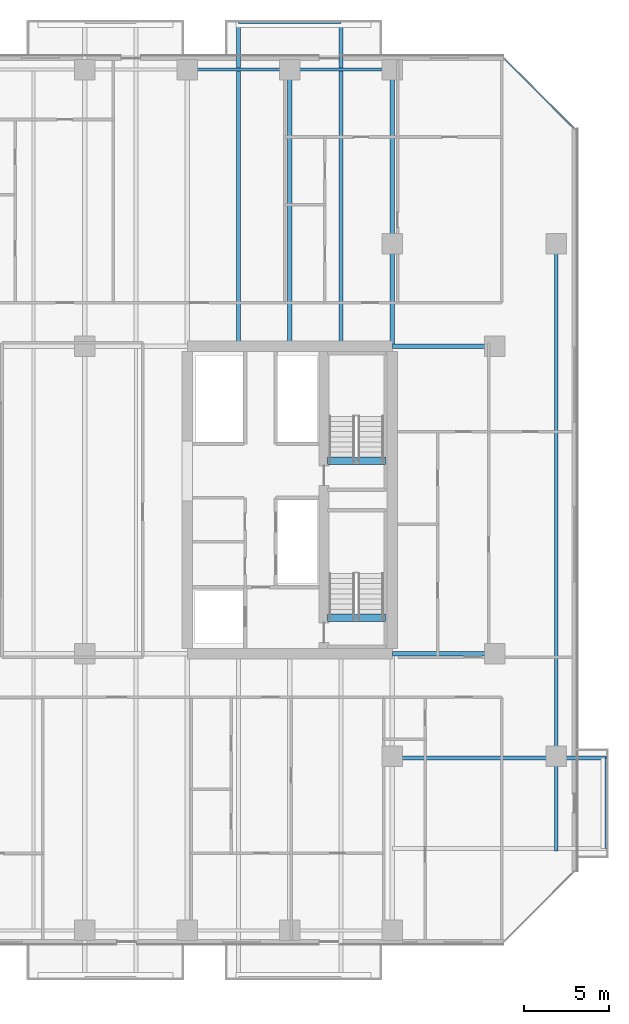
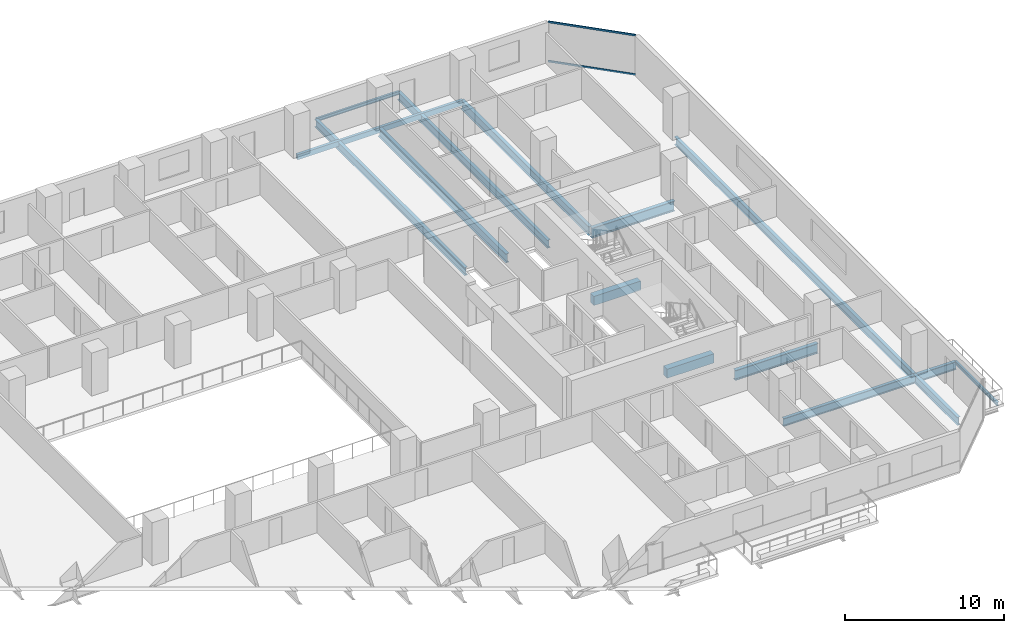
# One storey, part 14 of 33: 15 beams, 2 members, 1 element without a shape of its own.
"""IFC4 building model written with IfcOpenShell, lengths in metres."""

from ifc_helpers import new_model, si_unit, direction, frame, origin, origin_2d, place, context, subcontext, project, spatial, rectangle, hollow_rectangle, i_section, extrude, material, layer, layer_set, material_profile, profile_set, type_object, element, aggregate, save


model = new_model("IFC4")

# Units and contexts
model_context = context("Model", 3, precision=1e-05, world=origin(), true_north=direction((0.0, 1.0)))
body_context = subcontext(model_context, "Body", "Model", "MODEL_VIEW")
ifc_project = project(units=[si_unit("LENGTHUNIT", "METRE"), si_unit("AREAUNIT", "SQUARE_METRE"), si_unit("VOLUMEUNIT", "CUBIC_METRE"), si_unit("PLANEANGLEUNIT", "RADIAN"), si_unit("MASSUNIT", "GRAM", prefix="KILO")], contexts=[model_context])

# Site, building, storey
site_placement = place(None, origin())
site = spatial("IfcSite", under=ifc_project, at=site_placement, CompositionType="ELEMENT")
building_placement = place(site_placement, origin())
building = spatial("IfcBuilding", under=site, at=building_placement, Name="Tanjung Sevakor Pilgrim Tower", CompositionType="ELEMENT")
storey_placement = place(building_placement, frame((0.0, 0.0, 38.93994140625)))
storey = spatial("IfcBuildingStorey", under=building, at=storey_placement, Name="L10", CompositionType="ELEMENT", Elevation=38.93994140625)

# Beams
ifc_material_1 = material(Name="Steel S355J2", Category="steel")
ifc_material_profile_1 = material_profile(ifc_material_1, i_section(OverallWidth=0.26806640625, OverallDepth=0.769775390625, WebThickness=0.015625, FlangeThickness=0.025390625, FilletRadius=0.0166015625, at=origin_2d()))
ifc_profile_set_1 = profile_set([ifc_material_profile_1], Name="Steel S355J2")
beam_type_1 = type_object("IfcBeamType", Name="BM-B-G1-UB_762x267x197", PredefinedType="BEAM", material=ifc_profile_set_1)
for number, where, z_axis, x_axis, name in (
    (1, (90.0, 24.60009765625, -0.604736328125), (1.0, 0.0, 0.0), (0.0, 1.0, 0.0), "L10 Primary Floor Girder MAIN Y246-09"),
    (2, (90.0, 42.60009765625, -0.604736328125), (1.0, 0.0, 0.0), (0.0, 1.0, 0.0), "L10 Primary Floor Girder MAIN Y426-09"),
):
    element("IfcBeam", number, at=place(storey_placement, frame(where, z_axis=z_axis, x_axis=x_axis)), inside=storey, type_object=beam_type_1, Name=name, PredefinedType="BEAM", context=body_context, shape_type="SweptSolid", body=[
        extrude(i_section(OverallWidth=0.26806640625, OverallDepth=0.769775390625, WebThickness=0.015625, FlangeThickness=0.025390625, FilletRadius=0.0166015625, at=origin_2d()), origin(), (0.0, 0.0, 1.0), 6.0),
    ])
ifc_material_2 = material(Name="Steel S355J2", Category="steel")
ifc_material_profile_2 = material_profile(ifc_material_2, i_section(OverallWidth=0.25439453125, OverallDepth=0.6875, WebThickness=0.01318359375, FlangeThickness=0.02099609375, FilletRadius=0.01513671875, at=origin_2d()))
ifc_profile_set_2 = profile_set([ifc_material_profile_2], Name="Steel S355J2")
beam_type_2 = type_object("IfcBeamType", Name="BM-B-G2-UB_686x254x152", PredefinedType="BEAM", material=ifc_profile_set_2)
for number, where, z_axis, x_axis, name in (
    (3, (84.0, 42.73388671875, -0.563720703125), (0.0, 1.0, 0.0), (-1.0, 0.0, 0.0), "L10 MAIN Girder 027"),
    (4, (90.0, 42.73388671875, -0.563720703125), (0.0, 1.0, 0.0), (-1.0, 0.0, 0.0), "L10 MAIN Girder 029"),
):
    element("IfcBeam", number, at=place(storey_placement, frame(where, z_axis=z_axis, x_axis=x_axis)), inside=storey, type_object=beam_type_2, Name=name, PredefinedType="BEAM", context=body_context, shape_type="SweptSolid", body=[
        extrude(i_section(OverallWidth=0.25439453125, OverallDepth=0.6875, WebThickness=0.01318359375, FlangeThickness=0.02099609375, FilletRadius=0.01513671875, at=origin_2d()), origin(), (0.0, 0.0, 1.0), 16.066162109375),
    ])
ifc_material_3 = material(Name="Steel S355J2", Category="steel")
ifc_material_profile_3 = material_profile(ifc_material_3, i_section(OverallWidth=0.22900390625, OverallDepth=0.6123046875, WebThickness=0.011962890625, FlangeThickness=0.01953125, FilletRadius=0.0126953125, at=origin_2d()))
ifc_profile_set_3 = profile_set([ifc_material_profile_3], Name="Steel S355J2")
beam_type_3 = type_object("IfcBeamType", Name="BM-B-G4-UB_610x229x125", PredefinedType="BEAM", material=ifc_profile_set_3)
beam_1_placement = place(storey_placement, frame((99.60009765625, 18.60009765625, -0.526123046875), z_axis=(0.0, 1.0, 0.0), x_axis=(-1.0, 0.0, 0.0)))
element("IfcBeam", 5, at=beam_1_placement, inside=storey, type_object=beam_type_3, Name="L10 Short-End Edge Girder E", PredefinedType="BEAM", context=body_context, shape_type="SweptSolid", body=[
    extrude(i_section(OverallWidth=0.22900390625, OverallDepth=0.6123046875, WebThickness=0.011962890625, FlangeThickness=0.01953125, FilletRadius=0.0126953125, at=origin_2d()), origin(), (0.0, 0.0, 1.0), 30.0),
])
beam_2_placement = place(storey_placement, frame((99.60009765625, 18.60009765625, -0.526123046875), z_axis=(0.0, -1.0, 0.0), x_axis=(1.0, 0.0, 0.0)))
element("IfcBeam", 6, at=beam_2_placement, inside=storey, type_object=beam_type_3, Name="L10 Short-End Edge Extension S-E", PredefinedType="BEAM", context=body_context, shape_type="SweptSolid", body=[
    extrude(i_section(OverallWidth=0.22900390625, OverallDepth=0.6123046875, WebThickness=0.011962890625, FlangeThickness=0.01953125, FilletRadius=0.0126953125, at=origin_2d()), origin(), (0.0, 0.0, 1.0), 5.550048828125),
])
beam_3_placement = place(storey_placement, frame((90.0, 18.5, -0.526123046875), z_axis=(1.0, 0.0, 0.0), x_axis=(0.0, 1.0, 0.0)))
element("IfcBeam", 7, at=beam_3_placement, inside=storey, type_object=beam_type_3, Name="L10 Balcony Overhanging Beam MAIN-E1-2", PredefinedType="BEAM", context=body_context, shape_type="SweptSolid", body=[
    extrude(i_section(OverallWidth=0.22900390625, OverallDepth=0.6123046875, WebThickness=0.011962890625, FlangeThickness=0.01953125, FilletRadius=0.0126953125, at=origin_2d()), origin(), (0.0, 0.0, 1.0), 12.530029296875),
])
for number, where, z_axis, x_axis, name in (
    (8, (81.0, 42.73388671875, -0.526123046875), (0.0, 1.0, 0.0), (-1.0, 0.0, 0.0), "L10 Balcony Cantilever Beam MAIN-N4-1"),
    (9, (87.0, 42.73388671875, -0.526123046875), (0.0, 1.0, 0.0), (-1.0, 0.0, 0.0), "L10 Balcony Cantilever Beam MAIN-N4-2"),
):
    element("IfcBeam", number, at=place(storey_placement, frame(where, z_axis=z_axis, x_axis=x_axis)), inside=storey, type_object=beam_type_3, Name=name, PredefinedType="BEAM", context=body_context, shape_type="SweptSolid", body=[
        extrude(i_section(OverallWidth=0.22900390625, OverallDepth=0.6123046875, WebThickness=0.011962890625, FlangeThickness=0.01953125, FilletRadius=0.0126953125, at=origin_2d()), origin(), (0.0, 0.0, 1.0), 18.84619140625),
    ])
ifc_material_4 = material(Name="Steel S355J2", Category="steel")
ifc_material_profile_4 = material_profile(ifc_material_4, i_section(OverallWidth=0.146484375, OverallDepth=0.256103515625, WebThickness=0.00634765625, FlangeThickness=0.010986328125, FilletRadius=0.007568359375, at=origin_2d()))
ifc_profile_set_4 = profile_set([ifc_material_profile_4], Name="Steel S355J2")
beam_type_4 = type_object("IfcBeamType", Name="BM-B-J6-UB_254x146x37", PredefinedType="JOIST", material=ifc_profile_set_4)
beam_4_placement = place(storey_placement, frame((81.0, 61.580078125, -0.327880859375), z_axis=(1.0, 0.0, 0.0), x_axis=(0.0, 1.0, 0.0)))
element("IfcBeam", 10, at=beam_4_placement, inside=storey, type_object=beam_type_4, Name="L10 Balcony Rim Tie MAIN-N4", PredefinedType="JOIST", context=body_context, shape_type="SweptSolid", body=[
    extrude(i_section(OverallWidth=0.146484375, OverallDepth=0.256103515625, WebThickness=0.00634765625, FlangeThickness=0.010986328125, FilletRadius=0.007568359375, at=origin_2d()), origin(), (0.0, 0.0, 1.0), 6.0),
])
beam_5_placement = place(storey_placement, frame((102.530029296875, 13.199951171875, -0.327880859375), z_axis=(0.0, 1.0, 0.0), x_axis=(-1.0, 0.0, 0.0)))
element("IfcBeam", 11, at=beam_5_placement, inside=storey, type_object=beam_type_4, Name="L10 Balcony Rim Tie MAIN-E1", PredefinedType="JOIST", context=body_context, shape_type="SweptSolid", body=[
    extrude(i_section(OverallWidth=0.146484375, OverallDepth=0.256103515625, WebThickness=0.00634765625, FlangeThickness=0.010986328125, FilletRadius=0.007568359375, at=origin_2d()), origin(), (0.0, 0.0, 1.0), 5.300048828125),
])
ifc_material_5 = material(Name="Concrete C60/75", Category="concrete")
ifc_material_profile_5 = material_profile(ifc_material_5, rectangle(XDim=0.449951171875, YDim=0.699951171875, at=origin_2d()))
ifc_profile_set_5 = profile_set([ifc_material_profile_5], Name="Concrete C60/75")
beam_type_5 = type_object("IfcBeamType", Name="BM-B-LN3-RC-BM_450x700", PredefinedType="LINTEL", material=ifc_profile_set_5)
for number, where, z_axis, x_axis, name in (
    (12, (86.199951171875, 26.699951171875, -0.349853515625), (1.0, 0.0, 0.0), (0.0, 1.0, 0.0), "L10 TS-E1 Stair Threshold Beam"),
    (13, (86.199951171875, 35.89990234375, -0.349853515625), (1.0, 0.0, 0.0), (0.0, 1.0, 0.0), "L10 TS-E2 Stair Threshold Beam"),
):
    element("IfcBeam", number, at=place(storey_placement, frame(where, z_axis=z_axis, x_axis=x_axis)), inside=storey, type_object=beam_type_5, Name=name, PredefinedType="LINTEL", context=body_context, shape_type="SweptSolid", body=[
        extrude(rectangle(XDim=0.449951171875, YDim=0.699951171875, at=origin_2d()), origin(), (0.0, 0.0, 1.0), 3.400146484375),
    ])
ifc_material_6 = material(Name="Steel S355J2", Category="steel")
ifc_material_profile_6 = material_profile(ifc_material_6, hollow_rectangle(XDim=0.199951171875, YDim=0.39990234375, WallThickness=0.01611328125, at=origin_2d()))
ifc_profile_set_6 = profile_set([ifc_material_profile_6], Name="Steel S355J2")
beam_type_6 = type_object("IfcBeamType", Name="BM-B-SP2-RHS_400x200x16", PredefinedType="SPANDREL", material=ifc_profile_set_6)
for number, where, z_axis, x_axis, name in (
    (14, (78.0, 58.800048828125, -0.419921875), (1.0, 0.0, 0.0), (0.0, 1.0, 0.0), "L10 Spandrel MAIN N-16"),
    (15, (84.0, 58.800048828125, -0.419921875), (1.0, 0.0, 0.0), (0.0, 1.0, 0.0), "L10 Spandrel MAIN N-18"),
):
    element("IfcBeam", number, at=place(storey_placement, frame(where, z_axis=z_axis, x_axis=x_axis)), inside=storey, type_object=beam_type_6, Name=name, PredefinedType="SPANDREL", context=body_context, shape_type="SweptSolid", body=[
        extrude(hollow_rectangle(XDim=0.199951171875, YDim=0.39990234375, WallThickness=0.01611328125, at=origin_2d()), origin(), (0.0, 0.0, 1.0), 6.0),
    ])

# Curtain wall, members
ifc_material_7 = material(Name="Aluminium 6063-T6 and Low-E Glass", Category="aluminium")
ifc_layer = layer(ifc_material_7, 0.179931640625)
ifc_layer_set = layer_set([ifc_layer], Name="CW-SYS-CHAM")
curtain_wall_type = type_object("IfcCurtainWallType", Name="CW-SYS-CHAM", PredefinedType="NOTDEFINED", material=ifc_layer_set)
curtain_wall_placement = place(storey_placement, origin())
curtain_wall = element("IfcCurtainWall", 16, at=curtain_wall_placement, inside=storey, type_object=curtain_wall_type, Name="L10 Curtain Wall CW-CHM-L10-MAIN-7", PredefinedType="NOTDEFINED")
ifc_material_8 = material(Name="Aluminium 6063-T6", Category="aluminium")
ifc_material_profile_7 = material_profile(ifc_material_8, hollow_rectangle(XDim=0.06494140625, YDim=0.139892578125, WallThickness=0.00390625, at=origin_2d()))
ifc_profile_set_7 = profile_set([ifc_material_profile_7], Name="Aluminium 6063-T6")
member_type = type_object("IfcMemberType", Name="TYPE-CWT-1", PredefinedType="USERDEFINED", material=ifc_profile_set_7)
member_1_placement = place(storey_placement, frame((100.614013671875, 55.387939453125, 0.032470703125), z_axis=(-0.707106781187, 0.707106781187, 0.0), x_axis=(-0.707106781187, -0.707106781187, 0.0)))
member_1 = element("IfcMember", 17, at=member_1_placement, type_object=member_type, Name="CW-CHM transom 1.1", ObjectType="TRANSOM", PredefinedType="USERDEFINED", context=body_context, shape_type="SweptSolid", body=[
    extrude(hollow_rectangle(XDim=0.06494140625, YDim=0.139892578125, WallThickness=0.00390625, at=origin_2d()), origin(), (0.0, 0.0, 1.0), 5.69384765625),
])
member_2_placement = place(storey_placement, frame((100.614013671875, 55.387939453125, 3.047607421875), z_axis=(-0.707106781187, 0.707106781187, 0.0), x_axis=(-0.707106781187, -0.707106781187, 0.0)))
member_2 = element("IfcMember", 18, at=member_2_placement, type_object=member_type, Name="CW-CHM transom 1.2", ObjectType="TRANSOM", PredefinedType="USERDEFINED", context=body_context, shape_type="SweptSolid", body=[
    extrude(hollow_rectangle(XDim=0.06494140625, YDim=0.139892578125, WallThickness=0.00390625, at=origin_2d()), origin(), (0.0, 0.0, 1.0), 5.69384765625),
])
aggregate(curtain_wall, [member_1, member_2])

save(model, "model.ifc")
